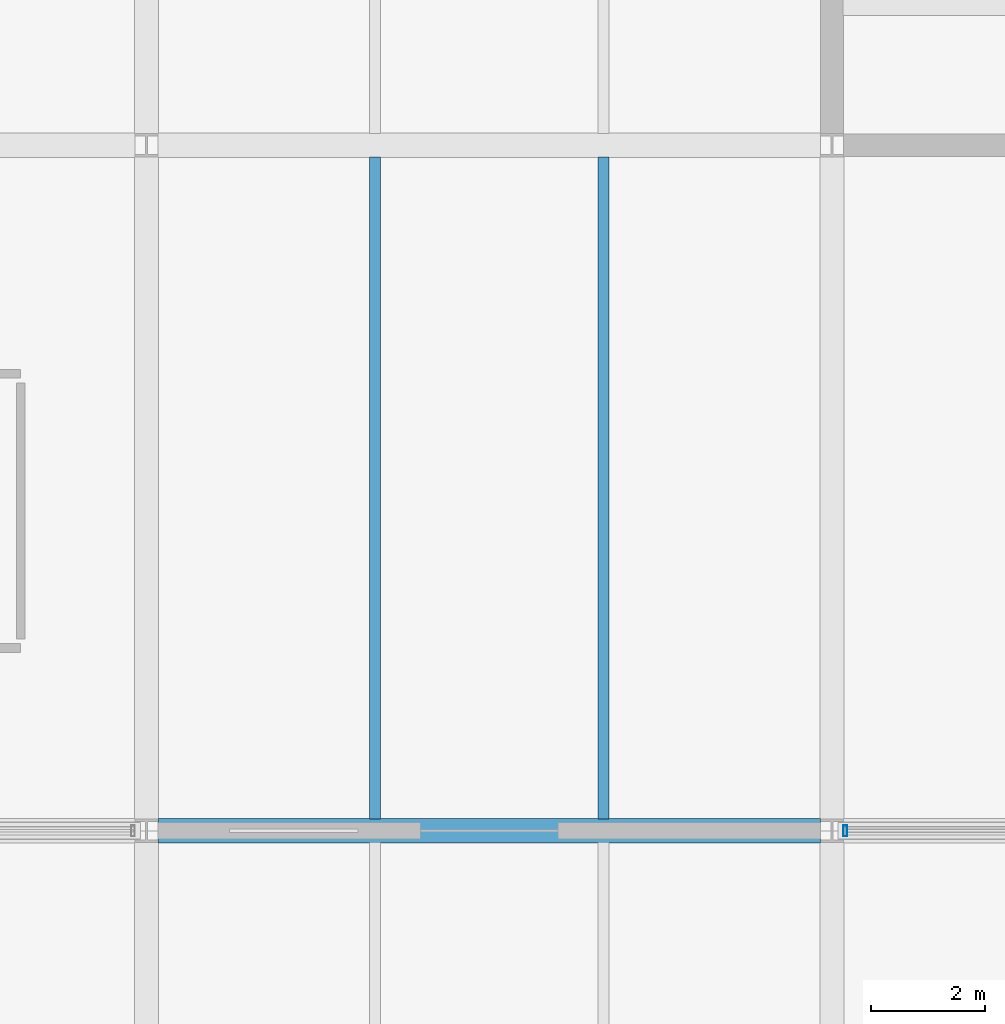
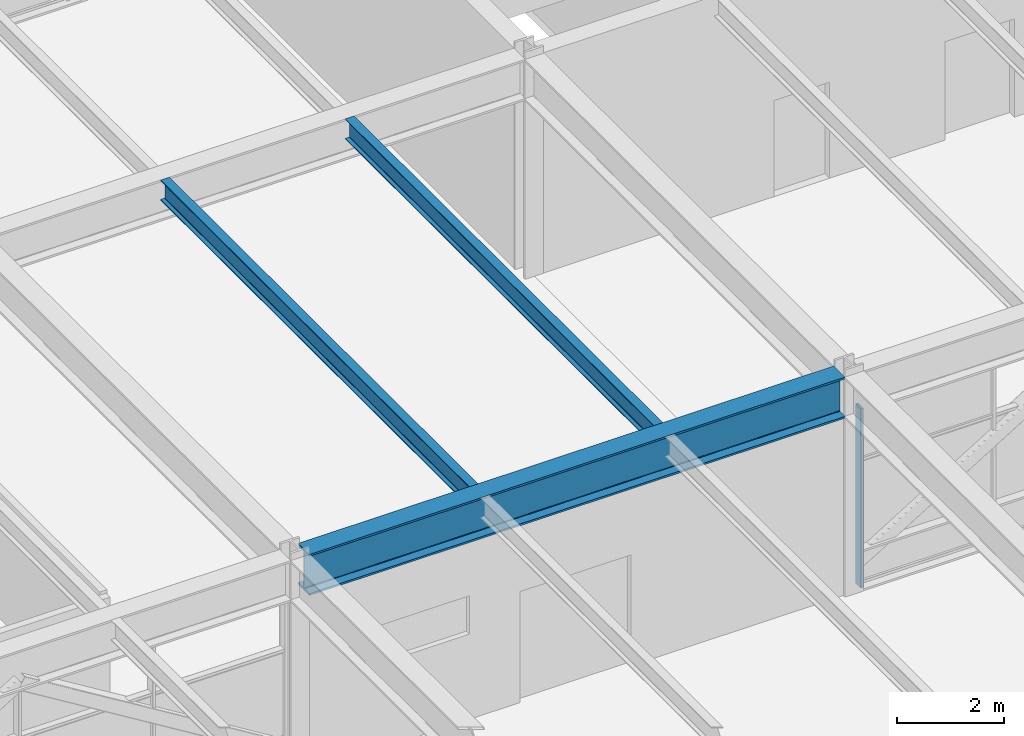
# One storey, part 21 of 42: 3 beams, 1 member, 1 element without a shape of its own.
"""IFC4 building model written with IfcOpenShell, lengths in metres."""

from ifc_helpers import new_model, si_unit, direction, frame, origin, origin_2d, place, context, subcontext, project, spatial, hollow_rectangle, i_section, extrude, material, material_profile, profile_set, type_object, element, aggregate, save


model = new_model("IFC4")

# Units and contexts
model_context = context("Model", 3, precision=1e-05, world=origin(), true_north=direction((0.0, 1.0)))
body_context = subcontext(model_context, "Body", "Model", "MODEL_VIEW")
ifc_project = project(units=[si_unit("LENGTHUNIT", "METRE"), si_unit("AREAUNIT", "SQUARE_METRE"), si_unit("VOLUMEUNIT", "CUBIC_METRE"), si_unit("PLANEANGLEUNIT", "RADIAN"), si_unit("MASSUNIT", "GRAM", prefix="KILO")], contexts=[model_context])

# Site, building, storey
site_placement = place(None, origin())
site = spatial("IfcSite", under=ifc_project, at=site_placement, CompositionType="ELEMENT")
building_placement = place(site_placement, origin())
building = spatial("IfcBuilding", under=site, at=building_placement, Name="Girod Span Mobility Hub", CompositionType="ELEMENT")
storey_placement = place(building_placement, frame((0.0, 0.0, 32.39990234375)))
storey = spatial("IfcBuildingStorey", under=building, at=storey_placement, Name="L08", CompositionType="ELEMENT", Elevation=32.39990234375)

# Beams
ifc_material_1 = material(Name="Steel A992 Grade 50", Category="steel")
ifc_material_profile_1 = material_profile(ifc_material_1, i_section(OverallWidth=0.19189453125, OverallDepth=0.462890625, WebThickness=0.010498046875, FlangeThickness=0.017578125, FilletRadius=0.013916015625, at=origin_2d()), Name="W18X60")
ifc_profile_set_1 = profile_set([ifc_material_profile_1], Name="Steel A992 Grade 50")
beam_type_1 = type_object("IfcBeamType", Name="BM-STL-W18X60", PredefinedType="BEAM", material=ifc_profile_set_1)
for number, where, z_axis, x_axis, name in (
    (1, (100.0, 45.20849609375, 4.80859375), (0.0, 1.0, 0.0), (-1.0, 0.0, 0.0), "Composite Floorbeam 9/D-1 L08"),
    (2, (104.0, 45.20849609375, 4.80859375), (0.0, 1.0, 0.0), (-1.0, 0.0, 0.0), "Composite Floorbeam 9/D-2 L08"),
):
    element("IfcBeam", number, at=place(storey_placement, frame(where, z_axis=z_axis, x_axis=x_axis)), inside=storey, type_object=beam_type_1, Name=name, PredefinedType="BEAM", context=body_context, shape_type="SweptSolid", body=[
        extrude(i_section(OverallWidth=0.19189453125, OverallDepth=0.462890625, WebThickness=0.010498046875, FlangeThickness=0.017578125, FilletRadius=0.013916015625, at=origin_2d()), origin(), (0.0, 0.0, 1.0), 11.5830078125),
    ])
ifc_material_2 = material(Name="Steel A992 Grade 50", Category="steel")
ifc_material_profile_2 = material_profile(ifc_material_2, i_section(OverallWidth=0.423095703125, OverallDepth=0.93994140625, WebThickness=0.02392578125, FlangeThickness=0.042724609375, FilletRadius=0.02392578125, at=origin_2d()), Name="W36X302")
ifc_profile_set_2 = profile_set([ifc_material_profile_2], Name="Steel A992 Grade 50")
beam_type_2 = type_object("IfcBeamType", Name="BM-STL-W36X302", PredefinedType="BEAM", material=ifc_profile_set_2)
beam_placement = place(storey_placement, frame((96.199951171875, 45.0, 4.570068359375), z_axis=(1.0, 0.0, 0.0), x_axis=(0.0, 1.0, 0.0)))
element("IfcBeam", 3, at=beam_placement, inside=storey, type_object=beam_type_2, Name="Girder 9-10/D L08", PredefinedType="BEAM", context=body_context, shape_type="SweptSolid", body=[
    extrude(i_section(OverallWidth=0.423095703125, OverallDepth=0.93994140625, WebThickness=0.02392578125, FlangeThickness=0.042724609375, FilletRadius=0.02392578125, at=origin_2d()), origin(), (0.0, 0.0, 1.0), 11.60009765625),
])

# Curtain wall, member
ifc_material_3 = material(Name="Thermally Broken Anodised Aluminium", Category="aluminium")
curtain_wall_type = type_object("IfcCurtainWallType", Name="CW-1160X410", PredefinedType="USERDEFINED", material=ifc_material_3)
curtain_wall_placement = place(storey_placement, origin())
curtain_wall = element("IfcCurtainWall", 4, at=curtain_wall_placement, inside=storey, type_object=curtain_wall_type, Name="Unitised Curtain Wall CW-L08-S10 L08", ObjectType="UNITISED CURTAIN WALL", PredefinedType="USERDEFINED")
ifc_material_4 = material(Name="Thermally Broken Anodised Aluminium", Category="aluminium")
ifc_material_profile_3 = material_profile(ifc_material_4, hollow_rectangle(XDim=0.199951171875, YDim=0.06494140625, WallThickness=0.00390625, InnerFilletRadius=0.00390625, OuterFilletRadius=0.008056640625, at=origin_2d()), Name="CW-ML-65X200")
ifc_profile_set_3 = profile_set([ifc_material_profile_3], Name="Thermally Broken Anodised Aluminium")
member_type = type_object("IfcMemberType", Name="CWM-ML-1", PredefinedType="MULLION", material=ifc_profile_set_3)
member_placement = place(storey_placement, frame((108.23291015625, 45.0, 0.0), z_axis=(0.0, 0.0, 1.0), x_axis=(0.0, 1.0, 0.0)))
member = element("IfcMember", 5, at=member_placement, type_object=member_type, Name="Curtain Wall Mullion CW-L08-S10-M0", PredefinedType="MULLION", context=body_context, shape_type="SweptSolid", body=[
    extrude(hollow_rectangle(XDim=0.199951171875, YDim=0.06494140625, WallThickness=0.00390625, InnerFilletRadius=0.00390625, OuterFilletRadius=0.008056640625, at=origin_2d()), origin(), (0.0, 0.0, 1.0), 4.10009765625),
])
aggregate(curtain_wall, [member])

save(model, "model.ifc")
